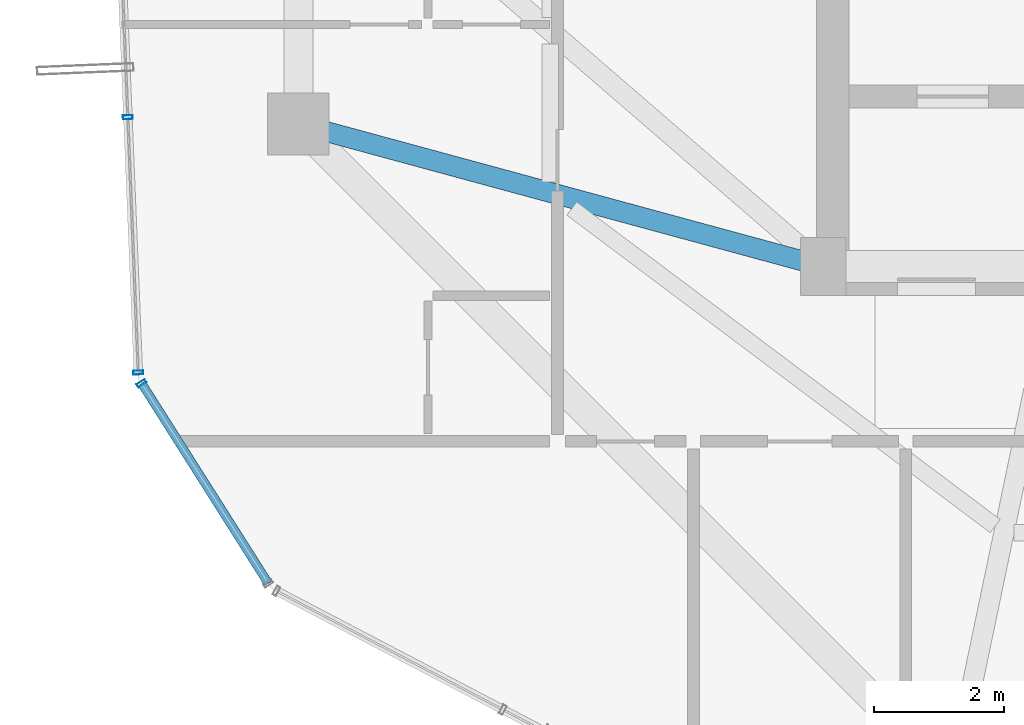
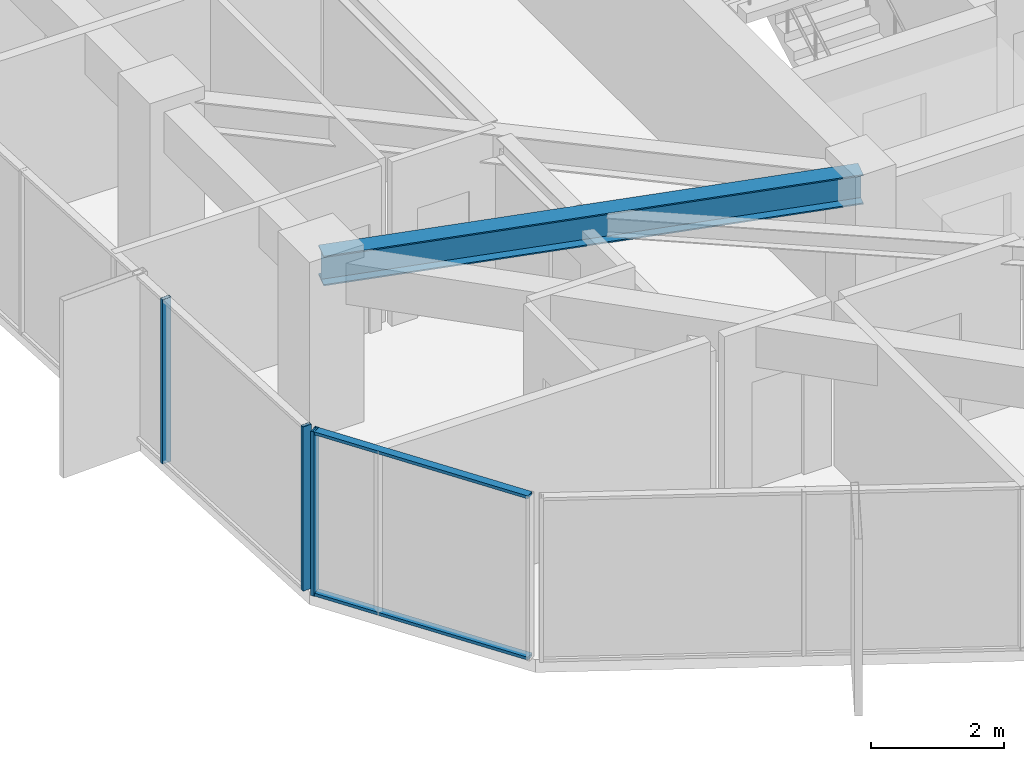
# One storey, part 5 of 33: 5 members, 1 beam, 2 elements without a shape of their own.
"""IFC4 building model written with IfcOpenShell, lengths in metres."""

from ifc_helpers import new_model, si_unit, direction, frame, origin, origin_2d, place, context, subcontext, project, spatial, hollow_rectangle, i_section, extrude, source, transform, mapped, material, layer, layer_set, material_profile, profile_set, type_object, element, aggregate, save


model = new_model("IFC4")

# Units and contexts
model_context = context("Model", 3, precision=1e-05, world=origin(), true_north=direction((0.0, 1.0)))
body_context = subcontext(model_context, "Body", "Model", "MODEL_VIEW")
ifc_project = project(units=[si_unit("LENGTHUNIT", "METRE"), si_unit("AREAUNIT", "SQUARE_METRE"), si_unit("VOLUMEUNIT", "CUBIC_METRE"), si_unit("PLANEANGLEUNIT", "RADIAN"), si_unit("MASSUNIT", "GRAM", prefix="KILO")], contexts=[model_context])

# Site, building, storey
site_placement = place(None, origin())
site = spatial("IfcSite", under=ifc_project, at=site_placement, CompositionType="ELEMENT")
building_placement = place(site_placement, origin())
building = spatial("IfcBuilding", under=site, at=building_placement, Name="Veraguas Prism Commons", CompositionType="ELEMENT")
storey_placement = place(building_placement, frame((0.0, 0.0, 198.35009765625)))
storey = spatial("IfcBuildingStorey", under=building, at=storey_placement, Name="L56", CompositionType="ELEMENT", Elevation=198.35009765625)

# Beam
ifc_material_1 = material(Name="Steel ASTM A992 Grade 50", Category="steel")
ifc_material_profile_1 = material_profile(ifc_material_1, i_section(OverallWidth=0.31103515625, OverallDepth=0.5458984375, WebThickness=0.0146484375, FlangeThickness=0.023681640625, at=origin_2d()), Name="W530X165")
ifc_profile_set_1 = profile_set([ifc_material_profile_1], Name="Steel ASTM A992 Grade 50")
beam_type = type_object("IfcBeamType", Name="Zone 3 Radial Girder W530x165", PredefinedType="BEAM", material=ifc_profile_set_1)
beam_placement = place(storey_placement, frame((9.10009765625, 19.199951171875, 2.741943359375), z_axis=(0.965038506703, -0.262108146725, 0.0), x_axis=(0.262108146725, 0.965038506703, 0.0)))
element("IfcBeam", 1, at=beam_placement, inside=storey, type_object=beam_type, Name="Radial Floor Girder L56-RD09", PredefinedType="BEAM", context=body_context, shape_type="SweptSolid", body=[
    extrude(i_section(OverallWidth=0.31103515625, OverallDepth=0.5458984375, WebThickness=0.0146484375, FlangeThickness=0.023681640625, at=origin_2d()), origin(), (0.0, 0.0, 1.0), 8.393310546875),
])

# Curtain wall, members
ifc_material_2 = material(Name="Anodised aluminium EN AW-6063 T6", Category="aluminium")
ifc_layer = layer(ifc_material_2, 0.14990234375, Name="Unitised Flush Curtain Wall Zone 3", Category="aluminium")
ifc_layer_set = layer_set([ifc_layer], Name="Anodised aluminium EN AW-6063 T6")
curtain_wall_type = type_object("IfcCurtainWallType", Name="Unitised Flush Curtain Wall Zone 3", PredefinedType="NOTDEFINED", material=ifc_layer_set)
curtain_wall_1_placement = place(storey_placement, origin())
curtain_wall_1 = element("IfcCurtainWall", 2, at=curtain_wall_1_placement, inside=storey, type_object=curtain_wall_type, Name="Tower Facade Curtain Wall L56-F3", PredefinedType="NOTDEFINED")
ifc_material_profile_2 = material_profile(ifc_material_2, hollow_rectangle(XDim=0.06005859375, YDim=0.14990234375, WallThickness=0.0029296875, at=origin_2d()), Name="AL60X150X3")
ifc_profile_set_2 = profile_set([ifc_material_profile_2], Name="Anodised aluminium EN AW-6063 T6")
member_type_1 = type_object("IfcMemberType", Name="Curtain Wall Mullion Upper AL 60x150x3", PredefinedType="MULLION", material=ifc_profile_set_2)
shared_shape_1 = source(origin(), body_context, "Body", "SweptSolid", [
    extrude(hollow_rectangle(XDim=0.06005859375, YDim=0.14990234375, WallThickness=0.0029296875, at=origin_2d()), origin(), (0.0, 0.0, 1.0), 3.014892578125),
])
member_1_placement = place(storey_placement, frame((6.466796875, 19.3046875, 0.0), z_axis=(0.0, 0.0, 1.0), x_axis=(0.040829351979, -0.999166134343, 0.0)))
member_1 = element("IfcMember", 3, at=member_1_placement, type_object=member_type_1, Name="CW-Z3 Mullion 4", PredefinedType="MULLION", context=body_context, shape_type="MappedRepresentation", body=[
    mapped(shared_shape_1, transform((0.0, 0.0, 0.0), scale=1.0)),
])
member_2_placement = place(storey_placement, frame((6.6279296875, 15.3623046875, 0.0), z_axis=(0.0, 0.0, 1.0), x_axis=(0.040829351979, -0.999166134343, 0.0)))
member_2 = element("IfcMember", 4, at=member_2_placement, type_object=member_type_1, Name="CW-Z3 Mullion 5", PredefinedType="MULLION", context=body_context, shape_type="MappedRepresentation", body=[
    mapped(shared_shape_1, transform((0.0, 0.0, 0.0), scale=1.0)),
])
aggregate(curtain_wall_1, [member_1, member_2])

curtain_wall_2_placement = place(storey_placement, origin())
curtain_wall_2 = element("IfcCurtainWall", 5, at=curtain_wall_2_placement, inside=storey, type_object=curtain_wall_type, Name="Chamfer Curtain Wall L56-C4", PredefinedType="NOTDEFINED")
member_3_placement = place(storey_placement, frame((6.6796875, 15.1962890625, 0.0), z_axis=(0.0, 0.0, 1.0), x_axis=(0.534939373984, -0.844890446248, 0.0)))
member_3 = element("IfcMember", 6, at=member_3_placement, type_object=member_type_1, Name="CW-Z3 Mullion 1", PredefinedType="MULLION", context=body_context, shape_type="MappedRepresentation", body=[
    mapped(shared_shape_1, transform((0.0, 0.0, 0.0), scale=1.0)),
])
ifc_material_profile_3 = material_profile(ifc_material_2, hollow_rectangle(XDim=0.054931640625, YDim=0.135009765625, WallThickness=0.0029296875, at=origin_2d()), Name="AL55X135X3")
ifc_profile_set_3 = profile_set([ifc_material_profile_3], Name="Anodised aluminium EN AW-6063 T6")
member_type_2 = type_object("IfcMemberType", Name="Curtain Wall Transom Standard AL 55x135x3", PredefinedType="USERDEFINED", material=ifc_profile_set_3)
shared_shape_2 = source(origin(), body_context, "Body", "SweptSolid", [
    extrude(hollow_rectangle(XDim=0.054931640625, YDim=0.135009765625, WallThickness=0.0029296875, at=origin_2d()), origin(), (0.0, 0.0, 1.0), 3.654541015625),
])
member_4_placement = place(storey_placement, frame((6.6796875, 15.1962890625, 0.02734375), z_axis=(0.534967844869, -0.844872419337, 0.0), x_axis=(0.0, 0.0, 1.0)))
member_4 = element("IfcMember", 7, at=member_4_placement, type_object=member_type_2, Name="CW-Z3 Transom 1", ObjectType="TRANSOM", PredefinedType="USERDEFINED", context=body_context, shape_type="MappedRepresentation", body=[
    mapped(shared_shape_2, transform((0.0, 0.0, 0.0), scale=1.0)),
])
member_5_placement = place(storey_placement, frame((6.6796875, 15.1962890625, 2.9873046875), z_axis=(0.534967844869, -0.844872419337, 0.0), x_axis=(0.0, 0.0, 1.0)))
member_5 = element("IfcMember", 8, at=member_5_placement, type_object=member_type_2, Name="CW-Z3 Transom 2", ObjectType="TRANSOM", PredefinedType="USERDEFINED", context=body_context, shape_type="MappedRepresentation", body=[
    mapped(shared_shape_2, transform((0.0, 0.0, 0.0), scale=1.0)),
])
aggregate(curtain_wall_2, [member_3, member_4, member_5])

save(model, "model.ifc")
